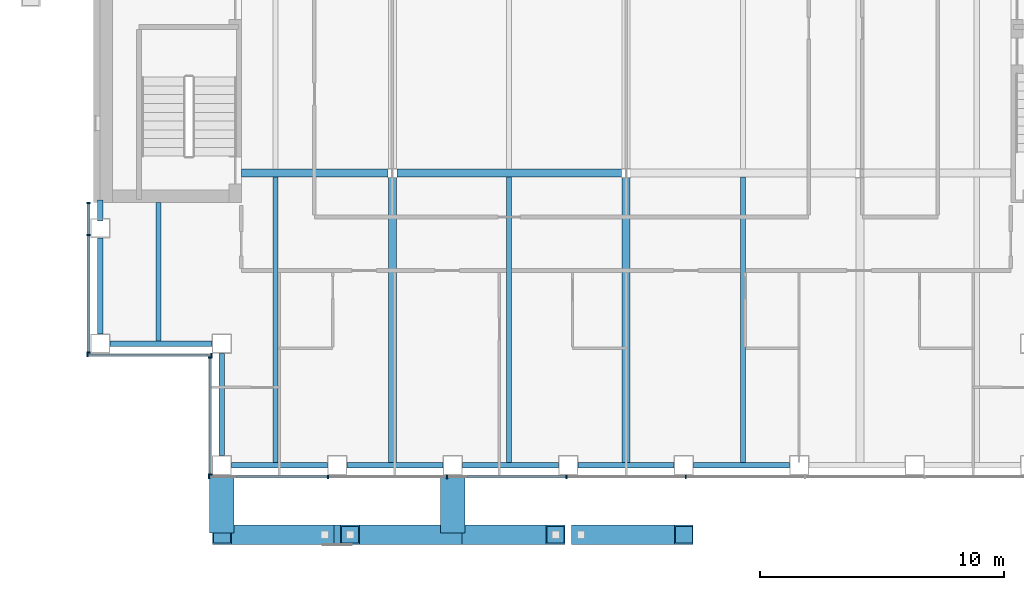
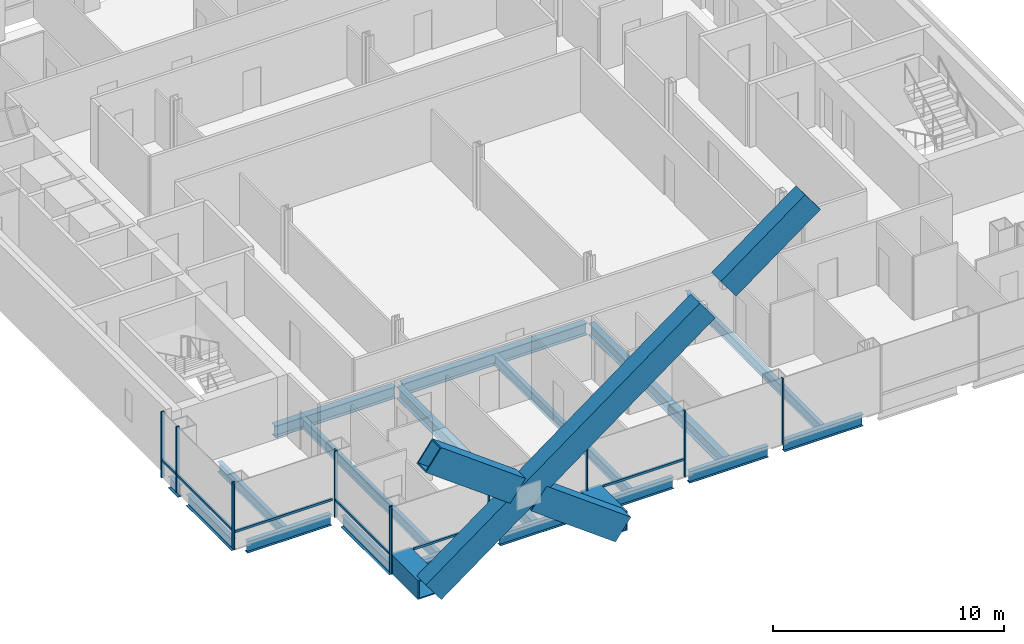
# One storey, part 3 of 16: 22 members, 19 beams, 4 elements without a shape of their own.
"""IFC4 building model written with IfcOpenShell, lengths in metres."""

from ifc_helpers import new_model, si_unit, direction, frame, origin, origin_2d, place, context, subcontext, project, spatial, rectangle, hollow_rectangle, i_section, extrude, material, material_profile, profile_set, type_object, element, aggregate, save


model = new_model("IFC4")

# Units and contexts
model_context = context("Model", 3, precision=1e-05, world=origin(), true_north=direction((0.0, 1.0)))
body_context = subcontext(model_context, "Body", "Model", "MODEL_VIEW")
ifc_project = project(units=[si_unit("LENGTHUNIT", "METRE"), si_unit("AREAUNIT", "SQUARE_METRE"), si_unit("VOLUMEUNIT", "CUBIC_METRE"), si_unit("PLANEANGLEUNIT", "RADIAN"), si_unit("MASSUNIT", "GRAM", prefix="KILO")], contexts=[model_context])

# Site, building, storey
site_placement = place(None, origin())
site = spatial("IfcSite", under=ifc_project, at=site_placement, CompositionType="ELEMENT")
building_placement = place(site_placement, origin())
building = spatial("IfcBuilding", under=site, at=building_placement, Name="Cobrizo Arcos Hotel Tower", CompositionType="ELEMENT")
storey_placement = place(building_placement, frame((0.0, 0.0, 172.5)))
storey = spatial("IfcBuildingStorey", under=building, at=storey_placement, Name="L44", CompositionType="ELEMENT", Elevation=172.5)

# Beams
ifc_material_1 = material(Name="Steel ASTM A572 Grade 50", Category="steel")
ifc_material_profile_1 = material_profile(ifc_material_1, hollow_rectangle(XDim=1.0, YDim=1.0, WallThickness=0.06005859375, at=origin_2d()), Name="BOX 1000X1000X60")
ifc_profile_set_1 = profile_set([ifc_material_profile_1], Name="Steel ASTM A572 Grade 50")
beam_type_1 = type_object("IfcBeamType", Name="BOX 1000X1000X60 brace connector strut", PredefinedType="BEAM", material=ifc_profile_set_1)
for number, where, z_axis, x_axis, name in (
    (1, (-7.1142578125, -21.989990234375, 0.5), (0.0, -1.0, 0.0), (1.0, 0.0, 0.0), "Perimeter brace stub BS1, zone Z3, south face, offset -7.11 m, L44"),
    (2, (-16.60009765625, -21.989990234375, 0.5), (0.0, -1.0, 0.0), (1.0, 0.0, 0.0), "Perimeter brace stub BS1, zone Z3, south face, offset -16.60 m, L44"),
):
    element("IfcBeam", number, at=place(storey_placement, frame(where, z_axis=z_axis, x_axis=x_axis)), inside=storey, type_object=beam_type_1, Name=name, PredefinedType="BEAM", context=body_context, shape_type="SweptSolid", body=[
        extrude(hollow_rectangle(XDim=1.0, YDim=1.0, WallThickness=0.06005859375, at=origin_2d()), origin(), (0.0, 0.0, 1.0), 2.380126953125),
    ])

# Members
ifc_material_profile_2 = material_profile(ifc_material_1, hollow_rectangle(XDim=0.800048828125, YDim=1.300048828125, WallThickness=0.06005859375, at=origin_2d()), Name="BOX 800X1300X60")
ifc_profile_set_2 = profile_set([ifc_material_profile_2], Name="Steel ASTM A572 Grade 50")
member_type_1 = type_object("IfcMemberType", Name="BOX 800X1300X60 perimeter brace", PredefinedType="BRACE", material=ifc_profile_set_2)
member_1_placement = place(storey_placement, frame((-16.60009765625, -24.449951171875, 0.5), z_axis=(0.804630166974, 0.0, 0.593776299961), x_axis=(0.0, 1.0, 0.0)))
element("IfcMember", 3, at=member_1_placement, inside=storey, type_object=member_type_1, Name="Perimeter brace PBR3, zone Z3, south face, no. 14", PredefinedType="BRACE", context=body_context, shape_type="SweptSolid", body=[
    extrude(hollow_rectangle(XDim=0.800048828125, YDim=1.300048828125, WallThickness=0.06005859375, at=origin_2d()), origin(), (0.0, 0.0, 1.0), 17.033447265625),
])
member_2_placement = place(storey_placement, frame((-1.84814453125, -24.449951171875, 11.385986328125), z_axis=(0.804607444048, 0.0, 0.593807090715), x_axis=(0.0, 1.0, 0.0)))
element("IfcMember", 4, at=member_2_placement, inside=storey, type_object=member_type_1, Name="Perimeter brace PBR3, zone Z3, south face, no. 14b", PredefinedType="BRACE", context=body_context, shape_type="SweptSolid", body=[
    extrude(hollow_rectangle(XDim=0.800048828125, YDim=1.300048828125, WallThickness=0.06005859375, at=origin_2d()), origin(), (0.0, 0.0, 1.0), 5.244140625),
])
for number, where, z_axis, x_axis, name in (
    (5, (-7.1142578125, -24.449951171875, 0.5), (-0.804623858684, 0.0, 0.593784848271), (0.0, -1.0, 0.0), "Perimeter brace PBR3, zone Z3, south face, no. 15"),
    (6, (-12.38037109375, -24.449951171875, 4.385986328125), (-0.804623858684, 0.0, 0.593784848271), (0.0, -1.0, 0.0), "Perimeter brace PBR3, zone Z3, south face, no. 15b"),
):
    element("IfcMember", number, at=place(storey_placement, frame(where, z_axis=z_axis, x_axis=x_axis)), inside=storey, type_object=member_type_1, Name=name, PredefinedType="BRACE", context=body_context, shape_type="SweptSolid", body=[
        extrude(hollow_rectangle(XDim=0.800048828125, YDim=1.300048828125, WallThickness=0.06005859375, at=origin_2d()), origin(), (0.0, 0.0, 1.0), 5.244384765625),
    ])

# Curtain wall, members
ifc_material_2 = material(Name="Aluminium 6063-T6 anodised bronze", Category="aluminium")
curtain_wall_type = type_object("IfcCurtainWallType", Name="CW-A guest facade", PredefinedType="NOTDEFINED", material=ifc_material_2)
curtain_wall_1_placement = place(storey_placement, origin())
curtain_wall_1 = element("IfcCurtainWall", 7, at=curtain_wall_1_placement, inside=storey, type_object=curtain_wall_type, Name="CW-A L44 S face", PredefinedType="NOTDEFINED")
ifc_material_profile_3 = material_profile(ifc_material_2, rectangle(XDim=0.14990234375, YDim=0.06005859375, at=origin_2d()), Name="CW-A mullion 150x60")
ifc_profile_set_3 = profile_set([ifc_material_profile_3], Name="Aluminium 6063-T6 anodised bronze")
member_type_2 = type_object("IfcMemberType", Name="CW-A mullion 150x60", PredefinedType="MULLION", material=ifc_profile_set_3)
member_3_placement = place(storey_placement, frame((-17.1201171875, -22.074951171875, 0.0), z_axis=(0.0, 0.0, 1.0), x_axis=(0.0, -1.0, 0.0)))
member_3 = element("IfcMember", 8, at=member_3_placement, type_object=member_type_2, Name="CW-A mullion 1", PredefinedType="MULLION", context=body_context, shape_type="SweptSolid", body=[
    extrude(rectangle(XDim=0.14990234375, YDim=0.06005859375, at=origin_2d()), origin(), (0.0, 0.0, 1.0), 3.5),
])
member_4_placement = place(storey_placement, frame((-12.25, -22.074951171875, 0.0), z_axis=(0.0, 0.0, 1.0), x_axis=(0.0, -1.0, 0.0)))
member_4 = element("IfcMember", 9, at=member_4_placement, type_object=member_type_2, Name="CW-A mullion 2", PredefinedType="MULLION", context=body_context, shape_type="SweptSolid", body=[
    extrude(rectangle(XDim=0.14990234375, YDim=0.06005859375, at=origin_2d()), origin(), (0.0, 0.0, 1.0), 3.5),
])
member_5_placement = place(storey_placement, frame((-7.35009765625, -22.074951171875, 0.0), z_axis=(0.0, 0.0, 1.0), x_axis=(0.0, -1.0, 0.0)))
member_5 = element("IfcMember", 10, at=member_5_placement, type_object=member_type_2, Name="CW-A mullion 3", PredefinedType="MULLION", context=body_context, shape_type="SweptSolid", body=[
    extrude(rectangle(XDim=0.14990234375, YDim=0.06005859375, at=origin_2d()), origin(), (0.0, 0.0, 1.0), 3.5),
])
member_6_placement = place(storey_placement, frame((-2.449951171875, -22.074951171875, 0.0), z_axis=(0.0, 0.0, 1.0), x_axis=(0.0, -1.0, 0.0)))
member_6 = element("IfcMember", 11, at=member_6_placement, type_object=member_type_2, Name="CW-A mullion 4", PredefinedType="MULLION", context=body_context, shape_type="SweptSolid", body=[
    extrude(rectangle(XDim=0.14990234375, YDim=0.06005859375, at=origin_2d()), origin(), (0.0, 0.0, 1.0), 3.5),
])
member_7_placement = place(storey_placement, frame((2.449951171875, -22.074951171875, 0.0), z_axis=(0.0, 0.0, 1.0), x_axis=(0.0, -1.0, 0.0)))
member_7 = element("IfcMember", 12, at=member_7_placement, type_object=member_type_2, Name="CW-A mullion 5", PredefinedType="MULLION", context=body_context, shape_type="SweptSolid", body=[
    extrude(rectangle(XDim=0.14990234375, YDim=0.06005859375, at=origin_2d()), origin(), (0.0, 0.0, 1.0), 3.5),
])

curtain_wall_2_placement = place(storey_placement, origin())
curtain_wall_2 = element("IfcCurtainWall", 13, at=curtain_wall_2_placement, inside=storey, type_object=curtain_wall_type, Name="CW-A L44 W face", PredefinedType="NOTDEFINED")
member_8_placement = place(storey_placement, frame((-22.074951171875, -10.830078125, 0.0), z_axis=(0.0, 0.0, 1.0), x_axis=(-1.0, 0.0, 0.0)))
member_8 = element("IfcMember", 14, at=member_8_placement, type_object=member_type_2, Name="CW-A mullion 1", PredefinedType="MULLION", context=body_context, shape_type="SweptSolid", body=[
    extrude(rectangle(XDim=0.14990234375, YDim=0.06005859375, at=origin_2d()), origin(), (0.0, 0.0, 1.0), 3.5),
])
member_9_placement = place(storey_placement, frame((-22.074951171875, -12.142822265625, 0.0), z_axis=(0.0, 0.0, 1.0), x_axis=(-1.0, 0.0, 0.0)))
member_9 = element("IfcMember", 15, at=member_9_placement, type_object=member_type_2, Name="CW-A mullion 2", PredefinedType="MULLION", context=body_context, shape_type="SweptSolid", body=[
    extrude(rectangle(XDim=0.14990234375, YDim=0.06005859375, at=origin_2d()), origin(), (0.0, 0.0, 1.0), 3.5),
])
member_10_placement = place(storey_placement, frame((-22.074951171875, -16.969970703125, 0.0), z_axis=(0.0, 0.0, 1.0), x_axis=(-1.0, 0.0, 0.0)))
member_10 = element("IfcMember", 16, at=member_10_placement, type_object=member_type_2, Name="CW-A mullion 3", PredefinedType="MULLION", context=body_context, shape_type="SweptSolid", body=[
    extrude(rectangle(XDim=0.14990234375, YDim=0.06005859375, at=origin_2d()), origin(), (0.0, 0.0, 1.0), 3.5),
])

curtain_wall_3_placement = place(storey_placement, origin())
curtain_wall_3 = element("IfcCurtainWall", 17, at=curtain_wall_3_placement, inside=storey, type_object=curtain_wall_type, Name="CW-A L44 S face", PredefinedType="NOTDEFINED")
member_11_placement = place(storey_placement, frame((-22.1201171875, -17.074951171875, 0.0), z_axis=(0.0, 0.0, 1.0), x_axis=(0.0, -1.0, 0.0)))
member_11 = element("IfcMember", 18, at=member_11_placement, type_object=member_type_2, Name="CW-A mullion 1", PredefinedType="MULLION", context=body_context, shape_type="SweptSolid", body=[
    extrude(rectangle(XDim=0.14990234375, YDim=0.06005859375, at=origin_2d()), origin(), (0.0, 0.0, 1.0), 3.5),
])
member_12_placement = place(storey_placement, frame((-17.030029296875, -17.074951171875, 0.0), z_axis=(0.0, 0.0, 1.0), x_axis=(0.0, -1.0, 0.0)))
member_12 = element("IfcMember", 19, at=member_12_placement, type_object=member_type_2, Name="CW-A mullion 2", PredefinedType="MULLION", context=body_context, shape_type="SweptSolid", body=[
    extrude(rectangle(XDim=0.14990234375, YDim=0.06005859375, at=origin_2d()), origin(), (0.0, 0.0, 1.0), 3.5),
])

curtain_wall_4_placement = place(storey_placement, origin())
curtain_wall_4 = element("IfcCurtainWall", 20, at=curtain_wall_4_placement, inside=storey, type_object=curtain_wall_type, Name="CW-A L44 W face", PredefinedType="NOTDEFINED")
member_13_placement = place(storey_placement, frame((-17.074951171875, -17.179931640625, 0.0), z_axis=(0.0, 0.0, 1.0), x_axis=(-1.0, 0.0, 0.0)))
member_13 = element("IfcMember", 21, at=member_13_placement, type_object=member_type_2, Name="CW-A mullion 1", PredefinedType="MULLION", context=body_context, shape_type="SweptSolid", body=[
    extrude(rectangle(XDim=0.14990234375, YDim=0.06005859375, at=origin_2d()), origin(), (0.0, 0.0, 1.0), 3.5),
])
member_14_placement = place(storey_placement, frame((-17.074951171875, -21.969970703125, 0.0), z_axis=(0.0, 0.0, 1.0), x_axis=(-1.0, 0.0, 0.0)))
member_14 = element("IfcMember", 22, at=member_14_placement, type_object=member_type_2, Name="CW-A mullion 2", PredefinedType="MULLION", context=body_context, shape_type="SweptSolid", body=[
    extrude(rectangle(XDim=0.14990234375, YDim=0.06005859375, at=origin_2d()), origin(), (0.0, 0.0, 1.0), 3.5),
])

# Member
ifc_material_profile_4 = material_profile(ifc_material_2, rectangle(XDim=0.10009765625, YDim=0.1201171875, at=origin_2d()), Name="CW-A transom 120x100")
ifc_profile_set_4 = profile_set([ifc_material_profile_4], Name="Aluminium 6063-T6 anodised bronze")
member_type_3 = type_object("IfcMemberType", Name="CW-A transom 120x100", PredefinedType="USERDEFINED", material=ifc_profile_set_4)
member_15_placement = place(storey_placement, frame((-16.0, -22.074951171875, 0.929931640625), z_axis=(1.0, 0.0, 0.0), x_axis=(0.0, 1.0, 0.0)))
member_15 = element("IfcMember", 23, at=member_15_placement, type_object=member_type_3, Name="CW-A transom 1546", ObjectType="TRANSOM", PredefinedType="USERDEFINED", context=body_context, shape_type="SweptSolid", body=[
    extrude(rectangle(XDim=0.10009765625, YDim=0.1201171875, at=origin_2d()), origin(), (0.0, 0.0, 1.0), 3.719970703125),
])

member_16_placement = place(storey_placement, frame((-6.514404296875, -22.074951171875, 0.929931640625), z_axis=(1.0, 0.0, 0.0), x_axis=(0.0, 1.0, 0.0)))
member_16 = element("IfcMember", 24, at=member_16_placement, type_object=member_type_3, Name="CW-A transom 1548", ObjectType="TRANSOM", PredefinedType="USERDEFINED", context=body_context, shape_type="SweptSolid", body=[
    extrude(rectangle(XDim=0.10009765625, YDim=0.1201171875, at=origin_2d()), origin(), (0.0, 0.0, 1.0), 4.034423828125),
])

aggregate(curtain_wall_1, [member_3, member_4, member_5, member_6, member_7, member_15, member_16])

member_17_placement = place(storey_placement, frame((-22.074951171875, -10.860107421875, 0.929931640625), z_axis=(0.0, -1.0, 0.0), x_axis=(1.0, 0.0, 0.0)))
member_17 = element("IfcMember", 25, at=member_17_placement, type_object=member_type_3, Name="CW-A transom 1572", ObjectType="TRANSOM", PredefinedType="USERDEFINED", context=body_context, shape_type="SweptSolid", body=[
    extrude(rectangle(XDim=0.10009765625, YDim=0.1201171875, at=origin_2d()), origin(), (0.0, 0.0, 1.0), 1.252685546875),
])

member_18_placement = place(storey_placement, frame((-22.074951171875, -12.1728515625, 0.929931640625), z_axis=(0.0, -1.0, 0.0), x_axis=(1.0, 0.0, 0.0)))
member_18 = element("IfcMember", 26, at=member_18_placement, type_object=member_type_3, Name="CW-A transom 1573", ObjectType="TRANSOM", PredefinedType="USERDEFINED", context=body_context, shape_type="SweptSolid", body=[
    extrude(rectangle(XDim=0.10009765625, YDim=0.1201171875, at=origin_2d()), origin(), (0.0, 0.0, 1.0), 4.76708984375),
])

aggregate(curtain_wall_2, [member_8, member_9, member_10, member_17, member_18])

member_19_placement = place(storey_placement, frame((-22.090087890625, -17.074951171875, 0.929931640625), z_axis=(1.0, 0.0, 0.0), x_axis=(0.0, 1.0, 0.0)))
member_19 = element("IfcMember", 27, at=member_19_placement, type_object=member_type_3, Name="CW-A transom 1574", ObjectType="TRANSOM", PredefinedType="USERDEFINED", context=body_context, shape_type="SweptSolid", body=[
    extrude(rectangle(XDim=0.10009765625, YDim=0.1201171875, at=origin_2d()), origin(), (0.0, 0.0, 1.0), 4.89013671875),
])

aggregate(curtain_wall_3, [member_11, member_12, member_19])

member_20_placement = place(storey_placement, frame((-17.074951171875, -17.2099609375, 0.929931640625), z_axis=(0.0, -1.0, 0.0), x_axis=(1.0, 0.0, 0.0)))
member_20 = element("IfcMember", 28, at=member_20_placement, type_object=member_type_3, Name="CW-A transom 1575", ObjectType="TRANSOM", PredefinedType="USERDEFINED", context=body_context, shape_type="SweptSolid", body=[
    extrude(rectangle(XDim=0.10009765625, YDim=0.1201171875, at=origin_2d()), origin(), (0.0, 0.0, 1.0), 4.679931640625),
])

aggregate(curtain_wall_4, [member_13, member_14, member_20])

# Beams
ifc_material_3 = material(Name="Steel ASTM A992 Grade 50", Category="steel")
ifc_material_profile_5 = material_profile(ifc_material_3, i_section(OverallWidth=0.209228515625, OverallDepth=0.533447265625, WebThickness=0.01025390625, FlangeThickness=0.015625, at=origin_2d()), Name="W21X62")
ifc_profile_set_5 = profile_set([ifc_material_profile_5], Name="Steel ASTM A992 Grade 50")
beam_type_2 = type_object("IfcBeamType", Name="W21X62 joist", PredefinedType="JOIST", material=ifc_profile_set_5)
beam_1_placement = place(storey_placement, frame((-19.199951171875, -16.510009765625, -0.416748046875), z_axis=(0.0, 1.0, 0.0), x_axis=(-1.0, 0.0, 0.0)))
element("IfcBeam", 29, at=beam_1_placement, inside=storey, type_object=beam_type_2, Name="Floor joist J1, L44, no. 001", PredefinedType="JOIST", context=body_context, shape_type="SweptSolid", body=[
    extrude(i_section(OverallWidth=0.209228515625, OverallDepth=0.533447265625, WebThickness=0.01025390625, FlangeThickness=0.015625, at=origin_2d()), origin(), (0.0, 0.0, 1.0), 5.699951171875),
])
for number, where, z_axis, x_axis, name in (
    (30, (-14.39990234375, -21.510009765625, -0.416748046875), (0.0, 1.0, 0.0), (-1.0, 0.0, 0.0), "Floor joist J1, L44, no. 003"),
    (31, (-4.800048828125, -21.510009765625, -0.416748046875), (0.0, 1.0, 0.0), (-1.0, 0.0, 0.0), "Floor joist J1, L44, no. 007"),
    (32, (4.800048828125, -21.510009765625, -0.416748046875), (0.0, 1.0, 0.0), (-1.0, 0.0, 0.0), "Floor joist J1, L44, no. 011"),
):
    element("IfcBeam", number, at=place(storey_placement, frame(where, z_axis=z_axis, x_axis=x_axis)), inside=storey, type_object=beam_type_2, Name=name, PredefinedType="JOIST", context=body_context, shape_type="SweptSolid", body=[
        extrude(i_section(OverallWidth=0.209228515625, OverallDepth=0.533447265625, WebThickness=0.01025390625, FlangeThickness=0.015625, at=origin_2d()), origin(), (0.0, 0.0, 1.0), 11.74609375),
    ])
ifc_material_profile_6 = material_profile(ifc_material_3, i_section(OverallWidth=0.32763671875, OverallDepth=0.622314453125, WebThickness=0.015380859375, FlangeThickness=0.0244140625, at=origin_2d()), Name="W24X131")
ifc_profile_set_6 = profile_set([ifc_material_profile_6], Name="Steel ASTM A992 Grade 50")
beam_type_3 = type_object("IfcBeamType", Name="W24X131 girder", PredefinedType="BEAM", material=ifc_profile_set_6)
beam_2_placement = place(storey_placement, frame((-15.7900390625, -9.60009765625, -0.461181640625), z_axis=(1.0, 0.0, 0.0), x_axis=(0.0, 1.0, 0.0)))
element("IfcBeam", 33, at=beam_2_placement, inside=storey, type_object=beam_type_3, Name="Floor girder G1, L44, no. 001", PredefinedType="BEAM", context=body_context, shape_type="SweptSolid", body=[
    extrude(i_section(OverallWidth=0.32763671875, OverallDepth=0.622314453125, WebThickness=0.015380859375, FlangeThickness=0.0244140625, at=origin_2d()), origin(), (0.0, 0.0, 1.0), 6.00341796875),
])
beam_3_placement = place(storey_placement, frame((-9.413330078125, -9.60009765625, -0.461181640625), z_axis=(1.0, 0.0, 0.0), x_axis=(0.0, 1.0, 0.0)))
element("IfcBeam", 34, at=beam_3_placement, inside=storey, type_object=beam_type_3, Name="Floor girder G1, L44, no. 002", PredefinedType="BEAM", context=body_context, shape_type="SweptSolid", body=[
    extrude(i_section(OverallWidth=0.32763671875, OverallDepth=0.622314453125, WebThickness=0.015380859375, FlangeThickness=0.0244140625, at=origin_2d()), origin(), (0.0, 0.0, 1.0), 9.2265625),
])
for number, where, z_axis, x_axis, name in (
    (35, (-9.60009765625, -21.510009765625, -0.461181640625), (0.0, 1.0, 0.0), (-1.0, 0.0, 0.0), "Floor girder G1, L44, no. 013"),
    (36, (0.0, -21.510009765625, -0.461181640625), (0.0, 1.0, 0.0), (-1.0, 0.0, 0.0), "Floor girder G1, L44, no. 017"),
):
    element("IfcBeam", number, at=place(storey_placement, frame(where, z_axis=z_axis, x_axis=x_axis)), inside=storey, type_object=beam_type_3, Name=name, PredefinedType="BEAM", context=body_context, shape_type="SweptSolid", body=[
        extrude(i_section(OverallWidth=0.32763671875, OverallDepth=0.622314453125, WebThickness=0.015380859375, FlangeThickness=0.0244140625, at=origin_2d()), origin(), (0.0, 0.0, 1.0), 11.723388671875),
    ])
ifc_material_profile_7 = material_profile(ifc_material_3, i_section(OverallWidth=0.228271484375, OverallDepth=0.607177734375, WebThickness=0.01123046875, FlangeThickness=0.017333984375, at=origin_2d()), Name="W24X76")
ifc_profile_set_7 = profile_set([ifc_material_profile_7], Name="Steel ASTM A992 Grade 50")
beam_type_4 = type_object("IfcBeamType", Name="W24X76 spandrel", PredefinedType="SPANDREL", material=ifc_profile_set_7)
beam_4_placement = place(storey_placement, frame((-16.199951171875, -21.60009765625, -0.45361328125), z_axis=(1.0, 0.0, 0.0), x_axis=(0.0, 1.0, 0.0)))
element("IfcBeam", 37, at=beam_4_placement, inside=storey, type_object=beam_type_4, Name="Spandrel beam W24X76, L44, no. 001", PredefinedType="SPANDREL", context=body_context, shape_type="SweptSolid", body=[
    extrude(i_section(OverallWidth=0.228271484375, OverallDepth=0.607177734375, WebThickness=0.01123046875, FlangeThickness=0.017333984375, at=origin_2d()), origin(), (0.0, 0.0, 1.0), 3.94287109375),
])
for number, where, z_axis, x_axis, name in (
    (38, (-11.45703125, -21.60009765625, -0.45361328125), (1.0, 0.0, 0.0), (0.0, 1.0, 0.0), "Spandrel beam W24X76, L44, no. 002"),
    (39, (-6.714111328125, -21.60009765625, -0.45361328125), (1.0, 0.0, 0.0), (0.0, 1.0, 0.0), "Spandrel beam W24X76, L44, no. 003"),
):
    element("IfcBeam", number, at=place(storey_placement, frame(where, z_axis=z_axis, x_axis=x_axis)), inside=storey, type_object=beam_type_4, Name=name, PredefinedType="SPANDREL", context=body_context, shape_type="SweptSolid", body=[
        extrude(i_section(OverallWidth=0.228271484375, OverallDepth=0.607177734375, WebThickness=0.01123046875, FlangeThickness=0.017333984375, at=origin_2d()), origin(), (0.0, 0.0, 1.0), 3.943115234375),
    ])
beam_5_placement = place(storey_placement, frame((-1.970947265625, -21.60009765625, -0.45361328125), z_axis=(1.0, 0.0, 0.0), x_axis=(0.0, 1.0, 0.0)))
element("IfcBeam", 40, at=beam_5_placement, inside=storey, type_object=beam_type_4, Name="Spandrel beam W24X76, L44, no. 004", PredefinedType="SPANDREL", context=body_context, shape_type="SweptSolid", body=[
    extrude(i_section(OverallWidth=0.228271484375, OverallDepth=0.607177734375, WebThickness=0.01123046875, FlangeThickness=0.017333984375, at=origin_2d()), origin(), (0.0, 0.0, 1.0), 3.94189453125),
])
beam_6_placement = place(storey_placement, frame((2.77099609375, -21.60009765625, -0.45361328125), z_axis=(1.0, 0.0, 0.0), x_axis=(0.0, 1.0, 0.0)))
element("IfcBeam", 41, at=beam_6_placement, inside=storey, type_object=beam_type_4, Name="Spandrel beam W24X76, L44, no. 005", PredefinedType="SPANDREL", context=body_context, shape_type="SweptSolid", body=[
    extrude(i_section(OverallWidth=0.228271484375, OverallDepth=0.607177734375, WebThickness=0.01123046875, FlangeThickness=0.017333984375, at=origin_2d()), origin(), (0.0, 0.0, 1.0), 3.943115234375),
])
beam_7_placement = place(storey_placement, frame((-21.60009765625, -10.7099609375, -0.45361328125), z_axis=(0.0, -1.0, 0.0), x_axis=(1.0, 0.0, 0.0)))
element("IfcBeam", 42, at=beam_7_placement, inside=storey, type_object=beam_type_4, Name="Spandrel beam W24X76, L44, no. 027", PredefinedType="SPANDREL", context=body_context, shape_type="SweptSolid", body=[
    extrude(i_section(OverallWidth=0.228271484375, OverallDepth=0.607177734375, WebThickness=0.01123046875, FlangeThickness=0.017333984375, at=origin_2d()), origin(), (0.0, 0.0, 1.0), 0.846923828125),
])
beam_8_placement = place(storey_placement, frame((-21.60009765625, -12.257080078125, -0.45361328125), z_axis=(0.0, -1.0, 0.0), x_axis=(1.0, 0.0, 0.0)))
element("IfcBeam", 43, at=beam_8_placement, inside=storey, type_object=beam_type_4, Name="Spandrel beam W24X76, L44, no. 028", PredefinedType="SPANDREL", context=body_context, shape_type="SweptSolid", body=[
    extrude(i_section(OverallWidth=0.228271484375, OverallDepth=0.607177734375, WebThickness=0.01123046875, FlangeThickness=0.017333984375, at=origin_2d()), origin(), (0.0, 0.0, 1.0), 3.94287109375),
])
for number, where, z_axis, x_axis, name in (
    (44, (-21.199951171875, -16.60009765625, -0.45361328125), (1.0, 0.0, 0.0), (0.0, 1.0, 0.0), "Spandrel beam W24X76, L44, no. 029"),
    (45, (-16.60009765625, -17.0, -0.45361328125), (0.0, -1.0, 0.0), (1.0, 0.0, 0.0), "Spandrel beam W24X76, L44, no. 030"),
):
    element("IfcBeam", number, at=place(storey_placement, frame(where, z_axis=z_axis, x_axis=x_axis)), inside=storey, type_object=beam_type_4, Name=name, PredefinedType="SPANDREL", context=body_context, shape_type="SweptSolid", body=[
        extrude(i_section(OverallWidth=0.228271484375, OverallDepth=0.607177734375, WebThickness=0.01123046875, FlangeThickness=0.017333984375, at=origin_2d()), origin(), (0.0, 0.0, 1.0), 4.199951171875),
    ])

save(model, "model.ifc")
